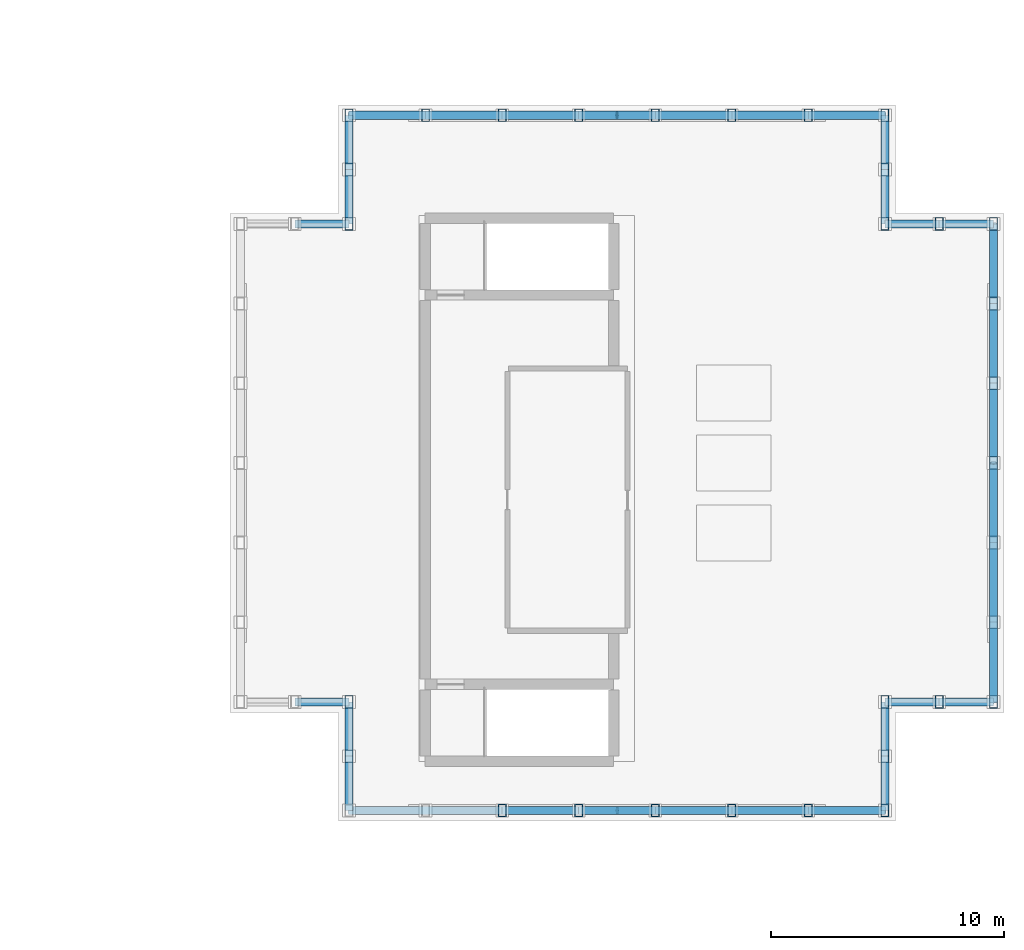
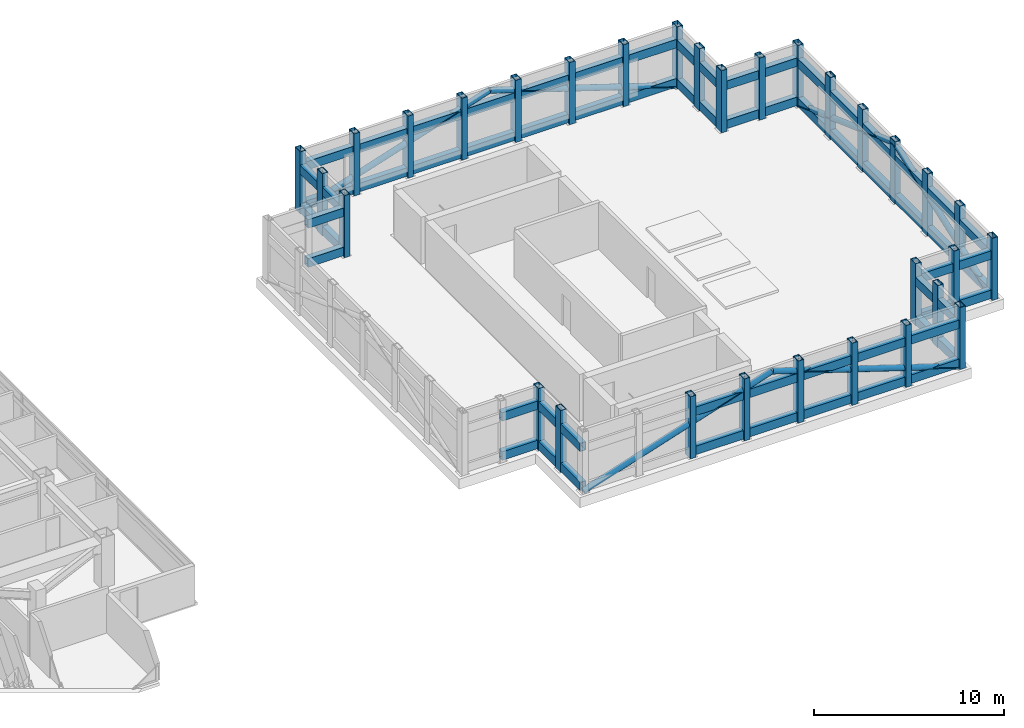
# One storey, part 8 of 17: 101 members.
"""IFC4 building model written with IfcOpenShell, lengths in metres."""

import ifcopenshell
import ifcopenshell.guid

model = None  # the IFC model being written
_history = None  # IfcOwnerHistory: only IFC2X3 demands one
_inside = {}  # id of a spatial element -> (the spatial element, [elements in it])
_under = {}  # id of a project, library or spatial element -> (it, [spatial elements below it])
_declared = {}  # id of a project -> (the project, [libraries it declares])
_typed = {}  # id of a type object -> (the type object, [elements of that type])
_made_of = {}  # id of a material, layer set ... -> (it, [elements and type objects made of it])


def new_model(schema):
    """Start an empty IFC model of exactly this schema.

    Asked for "IFC4X3", IfcOpenShell would pick the latest addendum, in which some entities
    have other attributes; the version numbers below select the first issue.
    IFC2X3 requires an IfcOwnerHistory on every rooted entity: one is made here for all.
    """
    global model, _history
    if schema == "IFC4X3":
        model = ifcopenshell.file(schema_version=(4, 3, 0, 0))
    else:
        model = ifcopenshell.file(schema=schema)
    _inside.clear()
    _under.clear()
    _declared.clear()
    _typed.clear()
    _made_of.clear()
    _history = None
    if model.schema == "IFC2X3":
        org = make("IfcOrganization", Name="unknown")
        user = make(
            "IfcPersonAndOrganization",
            ThePerson=make("IfcPerson", FamilyName="unknown"),
            TheOrganization=org,
        )
        app = make(
            "IfcApplication",
            ApplicationDeveloper=org,
            Version="unknown",
            ApplicationFullName="unknown",
            ApplicationIdentifier="unknown",
        )
        _history = make(
            "IfcOwnerHistory",
            OwningUser=user,
            OwningApplication=app,
            ChangeAction="ADDED",
            CreationDate=0,
        )
    return model


def make(cls, **values):
    """One entity of the class cls with the attributes given. An attribute that is None is left unset."""
    return model.create_entity(
        cls, **{name: value for name, value in values.items() if value is not None}
    )


def rooted(cls, **values):
    """An entity with a GlobalId (a new one), such as an element, a storey or a relation."""
    return make(cls, GlobalId=ifcopenshell.guid.new(), OwnerHistory=_history, **values)


def si_unit(unit_type, name, prefix=None):
    """IfcSIUnit, for example si_unit("LENGTHUNIT", "METRE", prefix="MILLI")."""
    return make("IfcSIUnit", UnitType=unit_type, Prefix=prefix, Name=name)


def assignment(units):
    """IfcUnitAssignment: the units of a project."""
    return None if units is None else make("IfcUnitAssignment", Units=units)


def point(xyz):
    """IfcCartesianPoint."""
    return None if xyz is None else make("IfcCartesianPoint", Coordinates=xyz)


def direction(xyz):
    """IfcDirection."""
    return None if xyz is None else make("IfcDirection", DirectionRatios=xyz)


def frame(location, z_axis=None, x_axis=None):
    """IfcAxis2Placement3D, a coordinate frame: its origin and axes. An axis left out is left unset."""
    return make(
        "IfcAxis2Placement3D",
        Location=point(location),
        Axis=direction(z_axis),
        RefDirection=direction(x_axis),
    )


def frame_2d(location, x_axis=None):
    """IfcAxis2Placement2D, a coordinate frame in the plane: its origin and x axis."""
    return make(
        "IfcAxis2Placement2D", Location=point(location), RefDirection=direction(x_axis)
    )


def origin():
    """The frame at (0, 0, 0) with its axes left unset."""
    return frame((0.0, 0.0, 0.0))


def origin_2d():
    """The frame at (0, 0) in the plane with its x axis left unset."""
    return frame_2d((0.0, 0.0))


def place(relative_to, where):
    """IfcLocalPlacement: puts the frame where relative to a parent placement (None: the world)."""
    return make(
        "IfcLocalPlacement", PlacementRelTo=relative_to, RelativePlacement=where
    )


def context(
    kind, dimensions, precision=None, world=None, true_north=None, identifier=None
):
    """IfcGeometricRepresentationContext, for example the 3D "Model" context."""
    return make(
        "IfcGeometricRepresentationContext",
        ContextIdentifier=identifier,
        ContextType=kind,
        CoordinateSpaceDimension=dimensions,
        Precision=precision,
        WorldCoordinateSystem=world,
        TrueNorth=true_north,
    )


def subcontext(parent, identifier, kind, view, scale=None):
    """IfcGeometricRepresentationSubContext, for example "Body" below "Model"."""
    return make(
        "IfcGeometricRepresentationSubContext",
        ContextIdentifier=identifier,
        ContextType=kind,
        ParentContext=parent,
        TargetScale=scale,
        TargetView=view,
    )


def project(units=None, contexts=None):
    """IfcProject with its units and contexts."""
    return rooted(
        "IfcProject",
        Name="project",
        RepresentationContexts=contexts,
        UnitsInContext=assignment(units),
    )


def spatial(cls, under=None, at=None, **own):
    """A site, building, storey or space (cls), placed at a placement, below another one or the project."""
    s = rooted(cls, ObjectPlacement=at, **own)
    if under is not None:
        _under.setdefault(under.id(), (under, []))[1].append(s)
    return s


def profile(cls, at=None, kind="AREA", **sizes):
    """A parametric profile (cls). Its sizes go by their IFC names, for example OverallWidth=200.0."""
    return make(cls, ProfileType=kind, Position=at, **sizes)


def hollow_rectangle(**sizes):
    """IfcRectangleHollowProfileDef."""
    return profile("IfcRectangleHollowProfileDef", **sizes)


def hollow_circle(**sizes):
    """IfcCircleHollowProfileDef."""
    return profile("IfcCircleHollowProfileDef", **sizes)


def extrude(swept, where, along, depth):
    """IfcExtrudedAreaSolid: the profile swept, set in the frame where, extruded along a direction by depth."""
    return make(
        "IfcExtrudedAreaSolid",
        SweptArea=swept,
        Position=where,
        ExtrudedDirection=direction(along),
        Depth=depth,
    )


def shape(context_of_items, identifier, shape_type, items):
    """IfcShapeRepresentation: the items that make up one representation, for example the "Body"."""
    return make(
        "IfcShapeRepresentation",
        ContextOfItems=context_of_items,
        RepresentationIdentifier=identifier,
        RepresentationType=shape_type,
        Items=items,
    )


def material(Name=None, Category=None):
    """IfcMaterial."""
    return make("IfcMaterial", Name=Name, Category=Category)


def material_profile(
    of_material, cross_section, Name=None, Category=None, Priority=None
):
    """IfcMaterialProfile: a cross section and its material."""
    return make(
        "IfcMaterialProfile",
        Name=Name,
        Material=of_material,
        Profile=cross_section,
        Priority=Priority,
        Category=Category,
    )


def profile_set(profiles, Name=None, composite=None):
    """IfcMaterialProfileSet."""
    return make(
        "IfcMaterialProfileSet",
        Name=Name,
        MaterialProfiles=profiles,
        CompositeProfile=composite,
    )


def made_of(thing, what):
    """Note that an element or type object is made of a material, layer set ...; save() writes the relation."""
    if what is not None:
        _made_of.setdefault(what.id(), (what, []))[1].append(thing)
    return thing


def type_object(cls, material=None, **own):
    """A type object (cls), such as IfcWallType, which elements share."""
    return made_of(rooted(cls, **own), material)


def element(
    cls,
    number,
    at=None,
    inside=None,
    cuts=None,
    type_object=None,
    material=None,
    context=None,
    identifier="Body",
    shape_type=None,
    held_by="IfcProductDefinitionShape",
    body=None,
    shapes=None,
    **own,
):
    """One element of the class cls, such as IfcWall. Its Tag is "e" and its number.

    at: its placement. inside: the storey or other place that contains it. cuts: it is an
    opening in that element (IfcRelVoidsElement). A single representation is given by context,
    identifier, shape_type and body (its items); several are given by shapes. held_by: the class
    of the entity that holds the representations. save() writes the other relations.
    """
    e = rooted(cls, Tag="e%d" % number, ObjectPlacement=at, **own)
    if body is not None:
        shapes = [shape(context, identifier, shape_type, body)]
    if shapes is not None:
        e.Representation = make(held_by, Representations=shapes)
    if inside is not None:
        _inside.setdefault(inside.id(), (inside, []))[1].append(e)
    if cuts is not None:
        rooted(
            "IfcRelVoidsElement", RelatingBuildingElement=cuts, RelatedOpeningElement=e
        )
    if type_object is not None:
        _typed.setdefault(type_object.id(), (type_object, []))[1].append(e)
    return made_of(e, material)


def aggregate(whole, parts):
    """IfcRelAggregates: a whole, such as a stair, and the parts it consists of."""
    return rooted("IfcRelAggregates", RelatingObject=whole, RelatedObjects=parts)


def save(model, path):
    """Write the relations noted so far, then the file.

    IfcRelAggregates (storeys below a building ...), IfcRelContainedInSpatialStructure (elements
    in a storey), IfcRelDefinesByType, IfcRelAssociatesMaterial and IfcRelDeclares: one each for
    every whole, place, type object, material and project.
    """
    for whole, parts in _under.values():
        aggregate(whole, parts)
    for where, things in _inside.values():
        rooted(
            "IfcRelContainedInSpatialStructure",
            RelatedElements=things,
            RelatingStructure=where,
        )
    for kind, things in _typed.values():
        rooted("IfcRelDefinesByType", RelatedObjects=things, RelatingType=kind)
    for what, things in _made_of.values():
        rooted("IfcRelAssociatesMaterial", RelatedObjects=things, RelatingMaterial=what)
    for by, libraries in _declared.values():
        rooted("IfcRelDeclares", RelatingContext=by, RelatedDefinitions=libraries)
    model.write(path)


model = new_model("IFC4")

# Units and contexts
model_context = context("Model", 3, precision=1e-05, world=origin(), true_north=direction((0.0, 1.0)))
body_context = subcontext(model_context, "Body", "Model", "MODEL_VIEW")
ifc_project = project(units=[si_unit("LENGTHUNIT", "METRE"), si_unit("AREAUNIT", "SQUARE_METRE"), si_unit("VOLUMEUNIT", "CUBIC_METRE"), si_unit("PLANEANGLEUNIT", "RADIAN"), si_unit("MASSUNIT", "GRAM", prefix="KILO")], contexts=[model_context])

# Site, building, storey
site_placement = place(None, origin())
site = spatial("IfcSite", under=ifc_project, at=site_placement, CompositionType="ELEMENT")
building_placement = place(site_placement, origin())
building = spatial("IfcBuilding", under=site, at=building_placement, Name="Mirazonda Arch Towers", CompositionType="ELEMENT")
storey_placement = place(building_placement, frame((0.0, 0.0, 209.64990234375)))
storey = spatial("IfcBuildingStorey", under=building, at=storey_placement, Name="L60", CompositionType="ELEMENT", Elevation=209.64990234375)

# Members
ifc_material = material(Name="Steel ASTM A572 Grade 50", Category="steel")
ifc_material_profile_1 = material_profile(ifc_material, hollow_circle(Radius=0.177978515625, WallThickness=0.01611328125, at=origin_2d()), Name="CROWNBRACE356x16CHS")
ifc_profile_set_1 = profile_set([ifc_material_profile_1], Name="Steel ASTM A572 Grade 50")
member_type_1 = type_object("IfcMemberType", Name="MBR-EXT-CROWNBRACE356x16CHS", PredefinedType="BRACE", material=ifc_profile_set_1)
for number, where, z_axis, x_axis, name in (
    (1, (65.01220703125, 13.091552734375, 0.02001953125), (0.951842749491, 0.0, 0.306586660247), (0.0, 1.0, 0.0), "T2 Ring Crown Diagonal Brace 1A"),
    (2, (87.98779296875, 13.091552734375, 0.02001953125), (-0.951842749491, 0.0, 0.306586660247), (0.0, -1.0, 0.0), "T2 Ring Crown Diagonal Brace 1B"),
):
    element("IfcMember", number, at=place(storey_placement, frame(where, z_axis=z_axis, x_axis=x_axis)), inside=storey, type_object=member_type_1, Name=name, PredefinedType="BRACE", context=body_context, shape_type="SweptSolid", body=[
        extrude(hollow_circle(Radius=0.177978515625, WallThickness=0.01611328125, at=origin_2d()), origin(), (0.0, 0.0, 1.0), 12.069091796875),
    ])
for number, where, z_axis, x_axis, name in (
    (3, (92.6474609375, 17.751220703125, 0.02001953125), (0.0, 0.940575967105, 0.339583347803), (-1.0, 0.0, 0.0), "T2 Ring Crown Diagonal Brace 2A"),
    (4, (92.6474609375, 38.248779296875, 0.02001953125), (0.0, -0.940575967105, 0.339583347803), (1.0, 0.0, 0.0), "T2 Ring Crown Diagonal Brace 2B"),
):
    element("IfcMember", number, at=place(storey_placement, frame(where, z_axis=z_axis, x_axis=x_axis)), inside=storey, type_object=member_type_1, Name=name, PredefinedType="BRACE", context=body_context, shape_type="SweptSolid", body=[
        extrude(hollow_circle(Radius=0.177978515625, WallThickness=0.01611328125, at=origin_2d()), origin(), (0.0, 0.0, 1.0), 10.896240234375),
    ])
for number, where, z_axis, x_axis, name in (
    (5, (87.98779296875, 42.908447265625, 0.02001953125), (-0.951842749491, 0.0, 0.306586660247), (0.0, -1.0, 0.0), "T2 Ring Crown Diagonal Brace 3A"),
    (6, (65.01220703125, 42.908447265625, 0.02001953125), (0.951842749491, 0.0, 0.306586660247), (0.0, 1.0, 0.0), "T2 Ring Crown Diagonal Brace 3B"),
):
    element("IfcMember", number, at=place(storey_placement, frame(where, z_axis=z_axis, x_axis=x_axis)), inside=storey, type_object=member_type_1, Name=name, PredefinedType="BRACE", context=body_context, shape_type="SweptSolid", body=[
        extrude(hollow_circle(Radius=0.177978515625, WallThickness=0.01611328125, at=origin_2d()), origin(), (0.0, 0.0, 1.0), 12.069091796875),
    ])
ifc_material_profile_2 = material_profile(ifc_material, hollow_rectangle(XDim=0.35009765625, YDim=0.550048828125, WallThickness=0.030029296875, at=origin_2d()), Name="CROWNFRAME550x350x30")
ifc_profile_set_2 = profile_set([ifc_material_profile_2], Name="Steel ASTM A572 Grade 50")
member_type_2 = type_object("IfcMemberType", Name="MBR-EXT-CROWNFRAME550x350x30", PredefinedType="USERDEFINED", material=ifc_profile_set_2)
for number, where, z_axis, x_axis, name in (
    (7, (71.57666015625, 13.091552734375, 0.0), (0.0, 0.0, 1.0), (1.0, 0.0, 0.0), "T2 Constructivist Ring Crown Post 03"),
    (8, (74.85888671875, 13.091552734375, 0.0), (0.0, 0.0, 1.0), (1.0, 0.0, 0.0), "T2 Constructivist Ring Crown Post 04"),
    (9, (78.14111328125, 13.091552734375, 0.0), (0.0, 0.0, 1.0), (1.0, 0.0, 0.0), "T2 Constructivist Ring Crown Post 05"),
    (10, (81.42333984375, 13.091552734375, 0.0), (0.0, 0.0, 1.0), (1.0, 0.0, 0.0), "T2 Constructivist Ring Crown Post 06"),
    (11, (84.70556640625, 13.091552734375, 0.0), (0.0, 0.0, 1.0), (1.0, 0.0, 0.0), "T2 Constructivist Ring Crown Post 07"),
    (12, (87.98779296875, 13.091552734375, 0.0), (0.0, 0.0, 1.0), (1.0, 0.0, 0.0), "T2 Constructivist Ring Crown Post 08"),
    (13, (87.98779296875, 15.42138671875, 0.0), (0.0, 0.0, 1.0), (1.0, 0.0, 0.0), "T2 Constructivist Ring Crown Post 09"),
    (14, (87.98779296875, 17.751220703125, 0.0), (0.0, 0.0, 1.0), (1.0, 0.0, 0.0), "T2 Constructivist Ring Crown Post 10"),
    (15, (90.317626953125, 17.751220703125, 0.0), (0.0, 0.0, 1.0), (1.0, 0.0, 0.0), "T2 Constructivist Ring Crown Post 11"),
    (16, (92.6474609375, 17.751220703125, 0.0), (0.0, 0.0, 1.0), (1.0, 0.0, 0.0), "T2 Constructivist Ring Crown Post 12"),
    (17, (92.6474609375, 21.16748046875, 0.0), (0.0, 0.0, 1.0), (1.0, 0.0, 0.0), "T2 Constructivist Ring Crown Post 13"),
    (18, (92.6474609375, 24.583740234375, 0.0), (0.0, 0.0, 1.0), (1.0, 0.0, 0.0), "T2 Constructivist Ring Crown Post 14"),
    (19, (92.6474609375, 28.0, 0.0), (0.0, 0.0, 1.0), (1.0, 0.0, 0.0), "T2 Constructivist Ring Crown Post 15"),
    (20, (92.6474609375, 31.416259765625, 0.0), (0.0, 0.0, 1.0), (1.0, 0.0, 0.0), "T2 Constructivist Ring Crown Post 16"),
    (21, (92.6474609375, 34.83251953125, 0.0), (0.0, 0.0, 1.0), (1.0, 0.0, 0.0), "T2 Constructivist Ring Crown Post 17"),
    (22, (92.6474609375, 38.248779296875, 0.0), (0.0, 0.0, 1.0), (1.0, 0.0, 0.0), "T2 Constructivist Ring Crown Post 18"),
    (23, (90.317626953125, 38.248779296875, 0.0), (0.0, 0.0, 1.0), (1.0, 0.0, 0.0), "T2 Constructivist Ring Crown Post 19"),
    (24, (87.98779296875, 38.248779296875, 0.0), (0.0, 0.0, 1.0), (1.0, 0.0, 0.0), "T2 Constructivist Ring Crown Post 20"),
    (25, (87.98779296875, 40.57861328125, 0.0), (0.0, 0.0, 1.0), (1.0, 0.0, 0.0), "T2 Constructivist Ring Crown Post 21"),
    (26, (87.98779296875, 42.908447265625, 0.0), (0.0, 0.0, 1.0), (1.0, 0.0, 0.0), "T2 Constructivist Ring Crown Post 22"),
    (27, (84.70556640625, 42.908447265625, 0.0), (0.0, 0.0, 1.0), (1.0, 0.0, 0.0), "T2 Constructivist Ring Crown Post 23"),
    (28, (81.42333984375, 42.908447265625, 0.0), (0.0, 0.0, 1.0), (1.0, 0.0, 0.0), "T2 Constructivist Ring Crown Post 24"),
    (29, (78.14111328125, 42.908447265625, 0.0), (0.0, 0.0, 1.0), (1.0, 0.0, 0.0), "T2 Constructivist Ring Crown Post 25"),
    (30, (74.85888671875, 42.908447265625, 0.0), (0.0, 0.0, 1.0), (1.0, 0.0, 0.0), "T2 Constructivist Ring Crown Post 26"),
    (31, (71.57666015625, 42.908447265625, 0.0), (0.0, 0.0, 1.0), (1.0, 0.0, 0.0), "T2 Constructivist Ring Crown Post 27"),
    (32, (68.29443359375, 42.908447265625, 0.0), (0.0, 0.0, 1.0), (1.0, 0.0, 0.0), "T2 Constructivist Ring Crown Post 28"),
    (33, (65.01220703125, 42.908447265625, 0.0), (0.0, 0.0, 1.0), (1.0, 0.0, 0.0), "T2 Constructivist Ring Crown Post 29"),
    (34, (65.01220703125, 40.57861328125, 0.0), (0.0, 0.0, 1.0), (1.0, 0.0, 0.0), "T2 Constructivist Ring Crown Post 30"),
    (35, (65.01220703125, 38.248779296875, 0.0), (0.0, 0.0, 1.0), (1.0, 0.0, 0.0), "T2 Constructivist Ring Crown Post 31"),
    (36, (65.01220703125, 17.751220703125, 0.0), (0.0, 0.0, 1.0), (1.0, 0.0, 0.0), "T2 Constructivist Ring Crown Post 41"),
    (37, (65.01220703125, 15.42138671875, 0.0), (0.0, 0.0, 1.0), (1.0, 0.0, 0.0), "T2 Constructivist Ring Crown Post 42"),
):
    element("IfcMember", number, at=place(storey_placement, frame(where, z_axis=z_axis, x_axis=x_axis)), inside=storey, type_object=member_type_2, Name=name, ObjectType="CROWN FRAME", PredefinedType="USERDEFINED", context=body_context, shape_type="SweptSolid", body=[
        extrude(hollow_rectangle(XDim=0.35009765625, YDim=0.550048828125, WallThickness=0.030029296875, at=origin_2d()), origin(), (0.0, 0.0, 1.0), 4.0),
    ])
for number, where, z_axis, x_axis, name in (
    (38, (71.57666015625, 13.091552734375, 0.35009765625), (1.0, 0.0, 0.0), (0.0, 1.0, 0.0), "T2 Ring Crown Cap Beam 1-03"),
    (39, (74.85888671875, 13.091552734375, 0.35009765625), (1.0, 0.0, 0.0), (0.0, 1.0, 0.0), "T2 Ring Crown Cap Beam 1-04"),
    (40, (78.14111328125, 13.091552734375, 0.35009765625), (1.0, 0.0, 0.0), (0.0, 1.0, 0.0), "T2 Ring Crown Cap Beam 1-05"),
    (41, (81.42333984375, 13.091552734375, 0.35009765625), (1.0, 0.0, 0.0), (0.0, 1.0, 0.0), "T2 Ring Crown Cap Beam 1-06"),
    (42, (84.70556640625, 13.091552734375, 0.35009765625), (1.0, 0.0, 0.0), (0.0, 1.0, 0.0), "T2 Ring Crown Cap Beam 1-07"),
):
    element("IfcMember", number, at=place(storey_placement, frame(where, z_axis=z_axis, x_axis=x_axis)), inside=storey, type_object=member_type_2, Name=name, ObjectType="CROWN FRAME", PredefinedType="USERDEFINED", context=body_context, shape_type="SweptSolid", body=[
        extrude(hollow_rectangle(XDim=0.35009765625, YDim=0.550048828125, WallThickness=0.030029296875, at=origin_2d()), origin(), (0.0, 0.0, 1.0), 3.2822265625),
    ])
for number, where, z_axis, x_axis, name in (
    (43, (87.98779296875, 13.091552734375, 0.35009765625), (0.0, 1.0, 0.0), (-1.0, 0.0, 0.0), "T2 Ring Crown Cap Beam 1-08"),
    (44, (87.98779296875, 15.42138671875, 0.35009765625), (0.0, 1.0, 0.0), (-1.0, 0.0, 0.0), "T2 Ring Crown Cap Beam 1-09"),
    (45, (87.98779296875, 17.751220703125, 0.35009765625), (1.0, 0.0, 0.0), (0.0, 1.0, 0.0), "T2 Ring Crown Cap Beam 1-10"),
    (46, (90.317626953125, 17.751220703125, 0.35009765625), (1.0, 0.0, 0.0), (0.0, 1.0, 0.0), "T2 Ring Crown Cap Beam 1-11"),
):
    element("IfcMember", number, at=place(storey_placement, frame(where, z_axis=z_axis, x_axis=x_axis)), inside=storey, type_object=member_type_2, Name=name, ObjectType="CROWN FRAME", PredefinedType="USERDEFINED", context=body_context, shape_type="SweptSolid", body=[
        extrude(hollow_rectangle(XDim=0.35009765625, YDim=0.550048828125, WallThickness=0.030029296875, at=origin_2d()), origin(), (0.0, 0.0, 1.0), 2.329833984375),
    ])
for number, where, z_axis, x_axis, name in (
    (47, (92.6474609375, 17.751220703125, 0.35009765625), (0.0, 1.0, 0.0), (-1.0, 0.0, 0.0), "T2 Ring Crown Cap Beam 1-12"),
    (48, (92.6474609375, 21.16748046875, 0.35009765625), (0.0, 1.0, 0.0), (-1.0, 0.0, 0.0), "T2 Ring Crown Cap Beam 1-13"),
    (49, (92.6474609375, 24.583740234375, 0.35009765625), (0.0, 1.0, 0.0), (-1.0, 0.0, 0.0), "T2 Ring Crown Cap Beam 1-14"),
    (50, (92.6474609375, 28.0, 0.35009765625), (0.0, 1.0, 0.0), (-1.0, 0.0, 0.0), "T2 Ring Crown Cap Beam 1-15"),
    (51, (92.6474609375, 31.416259765625, 0.35009765625), (0.0, 1.0, 0.0), (-1.0, 0.0, 0.0), "T2 Ring Crown Cap Beam 1-16"),
    (52, (92.6474609375, 34.83251953125, 0.35009765625), (0.0, 1.0, 0.0), (-1.0, 0.0, 0.0), "T2 Ring Crown Cap Beam 1-17"),
):
    element("IfcMember", number, at=place(storey_placement, frame(where, z_axis=z_axis, x_axis=x_axis)), inside=storey, type_object=member_type_2, Name=name, ObjectType="CROWN FRAME", PredefinedType="USERDEFINED", context=body_context, shape_type="SweptSolid", body=[
        extrude(hollow_rectangle(XDim=0.35009765625, YDim=0.550048828125, WallThickness=0.030029296875, at=origin_2d()), origin(), (0.0, 0.0, 1.0), 3.416259765625),
    ])
for number, where, z_axis, x_axis, name in (
    (53, (92.6474609375, 38.248779296875, 0.35009765625), (-1.0, 0.0, 0.0), (0.0, -1.0, 0.0), "T2 Ring Crown Cap Beam 1-18"),
    (54, (90.317626953125, 38.248779296875, 0.35009765625), (-1.0, 0.0, 0.0), (0.0, -1.0, 0.0), "T2 Ring Crown Cap Beam 1-19"),
    (55, (87.98779296875, 38.248779296875, 0.35009765625), (0.0, 1.0, 0.0), (-1.0, 0.0, 0.0), "T2 Ring Crown Cap Beam 1-20"),
    (56, (87.98779296875, 40.57861328125, 0.35009765625), (0.0, 1.0, 0.0), (-1.0, 0.0, 0.0), "T2 Ring Crown Cap Beam 1-21"),
):
    element("IfcMember", number, at=place(storey_placement, frame(where, z_axis=z_axis, x_axis=x_axis)), inside=storey, type_object=member_type_2, Name=name, ObjectType="CROWN FRAME", PredefinedType="USERDEFINED", context=body_context, shape_type="SweptSolid", body=[
        extrude(hollow_rectangle(XDim=0.35009765625, YDim=0.550048828125, WallThickness=0.030029296875, at=origin_2d()), origin(), (0.0, 0.0, 1.0), 2.329833984375),
    ])
for number, where, z_axis, x_axis, name in (
    (57, (87.98779296875, 42.908447265625, 0.35009765625), (-1.0, 0.0, 0.0), (0.0, -1.0, 0.0), "T2 Ring Crown Cap Beam 1-22"),
    (58, (84.70556640625, 42.908447265625, 0.35009765625), (-1.0, 0.0, 0.0), (0.0, -1.0, 0.0), "T2 Ring Crown Cap Beam 1-23"),
    (59, (81.42333984375, 42.908447265625, 0.35009765625), (-1.0, 0.0, 0.0), (0.0, -1.0, 0.0), "T2 Ring Crown Cap Beam 1-24"),
    (60, (78.14111328125, 42.908447265625, 0.35009765625), (-1.0, 0.0, 0.0), (0.0, -1.0, 0.0), "T2 Ring Crown Cap Beam 1-25"),
    (61, (74.85888671875, 42.908447265625, 0.35009765625), (-1.0, 0.0, 0.0), (0.0, -1.0, 0.0), "T2 Ring Crown Cap Beam 1-26"),
    (62, (71.57666015625, 42.908447265625, 0.35009765625), (-1.0, 0.0, 0.0), (0.0, -1.0, 0.0), "T2 Ring Crown Cap Beam 1-27"),
    (63, (68.29443359375, 42.908447265625, 0.35009765625), (-1.0, 0.0, 0.0), (0.0, -1.0, 0.0), "T2 Ring Crown Cap Beam 1-28"),
):
    element("IfcMember", number, at=place(storey_placement, frame(where, z_axis=z_axis, x_axis=x_axis)), inside=storey, type_object=member_type_2, Name=name, ObjectType="CROWN FRAME", PredefinedType="USERDEFINED", context=body_context, shape_type="SweptSolid", body=[
        extrude(hollow_rectangle(XDim=0.35009765625, YDim=0.550048828125, WallThickness=0.030029296875, at=origin_2d()), origin(), (0.0, 0.0, 1.0), 3.2822265625),
    ])
for number, where, z_axis, x_axis, name in (
    (64, (65.01220703125, 42.908447265625, 0.35009765625), (0.0, -1.0, 0.0), (1.0, 0.0, 0.0), "T2 Ring Crown Cap Beam 1-29"),
    (65, (65.01220703125, 40.57861328125, 0.35009765625), (0.0, -1.0, 0.0), (1.0, 0.0, 0.0), "T2 Ring Crown Cap Beam 1-30"),
    (66, (65.01220703125, 38.248779296875, 0.35009765625), (-1.0, 0.0, 0.0), (0.0, -1.0, 0.0), "T2 Ring Crown Cap Beam 1-31"),
    (67, (62.682373046875, 17.751220703125, 0.35009765625), (1.0, 0.0, 0.0), (0.0, 1.0, 0.0), "T2 Ring Crown Cap Beam 1-40"),
    (68, (65.01220703125, 17.751220703125, 0.35009765625), (0.0, -1.0, 0.0), (1.0, 0.0, 0.0), "T2 Ring Crown Cap Beam 1-41"),
    (69, (65.01220703125, 15.42138671875, 0.35009765625), (0.0, -1.0, 0.0), (1.0, 0.0, 0.0), "T2 Ring Crown Cap Beam 1-42"),
):
    element("IfcMember", number, at=place(storey_placement, frame(where, z_axis=z_axis, x_axis=x_axis)), inside=storey, type_object=member_type_2, Name=name, ObjectType="CROWN FRAME", PredefinedType="USERDEFINED", context=body_context, shape_type="SweptSolid", body=[
        extrude(hollow_rectangle(XDim=0.35009765625, YDim=0.550048828125, WallThickness=0.030029296875, at=origin_2d()), origin(), (0.0, 0.0, 1.0), 2.329833984375),
    ])
for number, where, z_axis, x_axis, name in (
    (70, (71.57666015625, 13.091552734375, 2.8701171875), (1.0, 0.0, 0.0), (0.0, 1.0, 0.0), "T2 Ring Crown Cap Beam 2-03"),
    (71, (74.85888671875, 13.091552734375, 2.8701171875), (1.0, 0.0, 0.0), (0.0, 1.0, 0.0), "T2 Ring Crown Cap Beam 2-04"),
    (72, (78.14111328125, 13.091552734375, 2.8701171875), (1.0, 0.0, 0.0), (0.0, 1.0, 0.0), "T2 Ring Crown Cap Beam 2-05"),
    (73, (81.42333984375, 13.091552734375, 2.8701171875), (1.0, 0.0, 0.0), (0.0, 1.0, 0.0), "T2 Ring Crown Cap Beam 2-06"),
    (74, (84.70556640625, 13.091552734375, 2.8701171875), (1.0, 0.0, 0.0), (0.0, 1.0, 0.0), "T2 Ring Crown Cap Beam 2-07"),
):
    element("IfcMember", number, at=place(storey_placement, frame(where, z_axis=z_axis, x_axis=x_axis)), inside=storey, type_object=member_type_2, Name=name, ObjectType="CROWN FRAME", PredefinedType="USERDEFINED", context=body_context, shape_type="SweptSolid", body=[
        extrude(hollow_rectangle(XDim=0.35009765625, YDim=0.550048828125, WallThickness=0.030029296875, at=origin_2d()), origin(), (0.0, 0.0, 1.0), 3.2822265625),
    ])
for number, where, z_axis, x_axis, name in (
    (75, (87.98779296875, 13.091552734375, 2.8701171875), (0.0, 1.0, 0.0), (-1.0, 0.0, 0.0), "T2 Ring Crown Cap Beam 2-08"),
    (76, (87.98779296875, 15.42138671875, 2.8701171875), (0.0, 1.0, 0.0), (-1.0, 0.0, 0.0), "T2 Ring Crown Cap Beam 2-09"),
    (77, (87.98779296875, 17.751220703125, 2.8701171875), (1.0, 0.0, 0.0), (0.0, 1.0, 0.0), "T2 Ring Crown Cap Beam 2-10"),
    (78, (90.317626953125, 17.751220703125, 2.8701171875), (1.0, 0.0, 0.0), (0.0, 1.0, 0.0), "T2 Ring Crown Cap Beam 2-11"),
):
    element("IfcMember", number, at=place(storey_placement, frame(where, z_axis=z_axis, x_axis=x_axis)), inside=storey, type_object=member_type_2, Name=name, ObjectType="CROWN FRAME", PredefinedType="USERDEFINED", context=body_context, shape_type="SweptSolid", body=[
        extrude(hollow_rectangle(XDim=0.35009765625, YDim=0.550048828125, WallThickness=0.030029296875, at=origin_2d()), origin(), (0.0, 0.0, 1.0), 2.329833984375),
    ])
for number, where, z_axis, x_axis, name in (
    (79, (92.6474609375, 17.751220703125, 2.8701171875), (0.0, 1.0, 0.0), (-1.0, 0.0, 0.0), "T2 Ring Crown Cap Beam 2-12"),
    (80, (92.6474609375, 21.16748046875, 2.8701171875), (0.0, 1.0, 0.0), (-1.0, 0.0, 0.0), "T2 Ring Crown Cap Beam 2-13"),
    (81, (92.6474609375, 24.583740234375, 2.8701171875), (0.0, 1.0, 0.0), (-1.0, 0.0, 0.0), "T2 Ring Crown Cap Beam 2-14"),
    (82, (92.6474609375, 28.0, 2.8701171875), (0.0, 1.0, 0.0), (-1.0, 0.0, 0.0), "T2 Ring Crown Cap Beam 2-15"),
    (83, (92.6474609375, 31.416259765625, 2.8701171875), (0.0, 1.0, 0.0), (-1.0, 0.0, 0.0), "T2 Ring Crown Cap Beam 2-16"),
    (84, (92.6474609375, 34.83251953125, 2.8701171875), (0.0, 1.0, 0.0), (-1.0, 0.0, 0.0), "T2 Ring Crown Cap Beam 2-17"),
):
    element("IfcMember", number, at=place(storey_placement, frame(where, z_axis=z_axis, x_axis=x_axis)), inside=storey, type_object=member_type_2, Name=name, ObjectType="CROWN FRAME", PredefinedType="USERDEFINED", context=body_context, shape_type="SweptSolid", body=[
        extrude(hollow_rectangle(XDim=0.35009765625, YDim=0.550048828125, WallThickness=0.030029296875, at=origin_2d()), origin(), (0.0, 0.0, 1.0), 3.416259765625),
    ])
for number, where, z_axis, x_axis, name in (
    (85, (92.6474609375, 38.248779296875, 2.8701171875), (-1.0, 0.0, 0.0), (0.0, -1.0, 0.0), "T2 Ring Crown Cap Beam 2-18"),
    (86, (90.317626953125, 38.248779296875, 2.8701171875), (-1.0, 0.0, 0.0), (0.0, -1.0, 0.0), "T2 Ring Crown Cap Beam 2-19"),
    (87, (87.98779296875, 38.248779296875, 2.8701171875), (0.0, 1.0, 0.0), (-1.0, 0.0, 0.0), "T2 Ring Crown Cap Beam 2-20"),
    (88, (87.98779296875, 40.57861328125, 2.8701171875), (0.0, 1.0, 0.0), (-1.0, 0.0, 0.0), "T2 Ring Crown Cap Beam 2-21"),
):
    element("IfcMember", number, at=place(storey_placement, frame(where, z_axis=z_axis, x_axis=x_axis)), inside=storey, type_object=member_type_2, Name=name, ObjectType="CROWN FRAME", PredefinedType="USERDEFINED", context=body_context, shape_type="SweptSolid", body=[
        extrude(hollow_rectangle(XDim=0.35009765625, YDim=0.550048828125, WallThickness=0.030029296875, at=origin_2d()), origin(), (0.0, 0.0, 1.0), 2.329833984375),
    ])
for number, where, z_axis, x_axis, name in (
    (89, (87.98779296875, 42.908447265625, 2.8701171875), (-1.0, 0.0, 0.0), (0.0, -1.0, 0.0), "T2 Ring Crown Cap Beam 2-22"),
    (90, (84.70556640625, 42.908447265625, 2.8701171875), (-1.0, 0.0, 0.0), (0.0, -1.0, 0.0), "T2 Ring Crown Cap Beam 2-23"),
    (91, (81.42333984375, 42.908447265625, 2.8701171875), (-1.0, 0.0, 0.0), (0.0, -1.0, 0.0), "T2 Ring Crown Cap Beam 2-24"),
    (92, (78.14111328125, 42.908447265625, 2.8701171875), (-1.0, 0.0, 0.0), (0.0, -1.0, 0.0), "T2 Ring Crown Cap Beam 2-25"),
    (93, (74.85888671875, 42.908447265625, 2.8701171875), (-1.0, 0.0, 0.0), (0.0, -1.0, 0.0), "T2 Ring Crown Cap Beam 2-26"),
    (94, (71.57666015625, 42.908447265625, 2.8701171875), (-1.0, 0.0, 0.0), (0.0, -1.0, 0.0), "T2 Ring Crown Cap Beam 2-27"),
    (95, (68.29443359375, 42.908447265625, 2.8701171875), (-1.0, 0.0, 0.0), (0.0, -1.0, 0.0), "T2 Ring Crown Cap Beam 2-28"),
):
    element("IfcMember", number, at=place(storey_placement, frame(where, z_axis=z_axis, x_axis=x_axis)), inside=storey, type_object=member_type_2, Name=name, ObjectType="CROWN FRAME", PredefinedType="USERDEFINED", context=body_context, shape_type="SweptSolid", body=[
        extrude(hollow_rectangle(XDim=0.35009765625, YDim=0.550048828125, WallThickness=0.030029296875, at=origin_2d()), origin(), (0.0, 0.0, 1.0), 3.2822265625),
    ])
for number, where, z_axis, x_axis, name in (
    (96, (65.01220703125, 42.908447265625, 2.8701171875), (0.0, -1.0, 0.0), (1.0, 0.0, 0.0), "T2 Ring Crown Cap Beam 2-29"),
    (97, (65.01220703125, 40.57861328125, 2.8701171875), (0.0, -1.0, 0.0), (1.0, 0.0, 0.0), "T2 Ring Crown Cap Beam 2-30"),
    (98, (65.01220703125, 38.248779296875, 2.8701171875), (-1.0, 0.0, 0.0), (0.0, -1.0, 0.0), "T2 Ring Crown Cap Beam 2-31"),
    (99, (62.682373046875, 17.751220703125, 2.8701171875), (1.0, 0.0, 0.0), (0.0, 1.0, 0.0), "T2 Ring Crown Cap Beam 2-40"),
    (100, (65.01220703125, 17.751220703125, 2.8701171875), (0.0, -1.0, 0.0), (1.0, 0.0, 0.0), "T2 Ring Crown Cap Beam 2-41"),
    (101, (65.01220703125, 15.42138671875, 2.8701171875), (0.0, -1.0, 0.0), (1.0, 0.0, 0.0), "T2 Ring Crown Cap Beam 2-42"),
):
    element("IfcMember", number, at=place(storey_placement, frame(where, z_axis=z_axis, x_axis=x_axis)), inside=storey, type_object=member_type_2, Name=name, ObjectType="CROWN FRAME", PredefinedType="USERDEFINED", context=body_context, shape_type="SweptSolid", body=[
        extrude(hollow_rectangle(XDim=0.35009765625, YDim=0.550048828125, WallThickness=0.030029296875, at=origin_2d()), origin(), (0.0, 0.0, 1.0), 2.329833984375),
    ])

save(model, "model.ifc")
